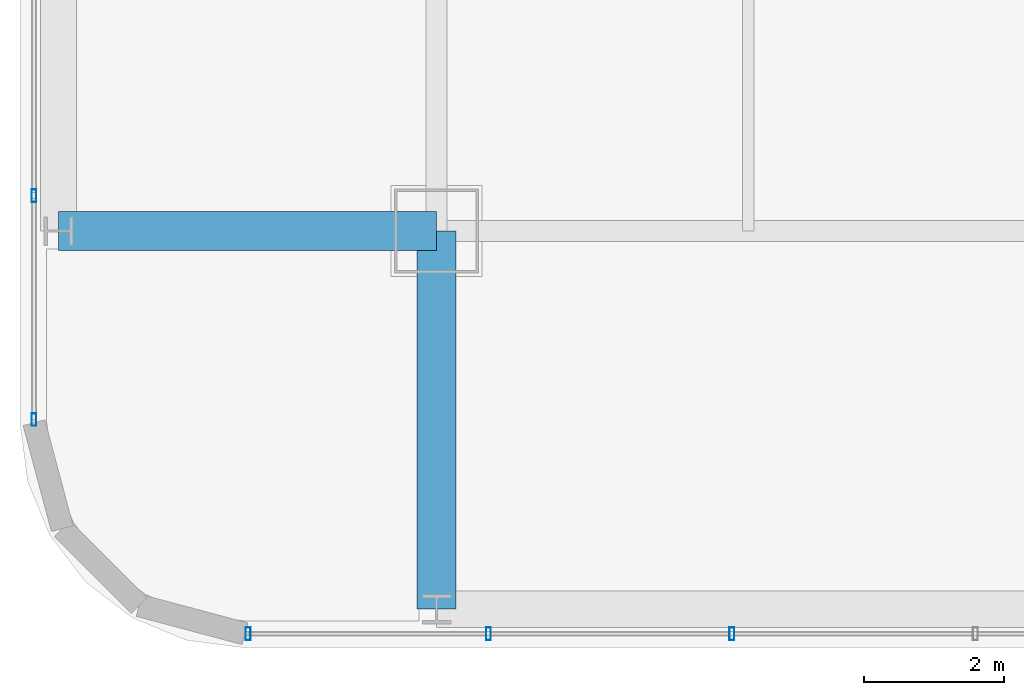
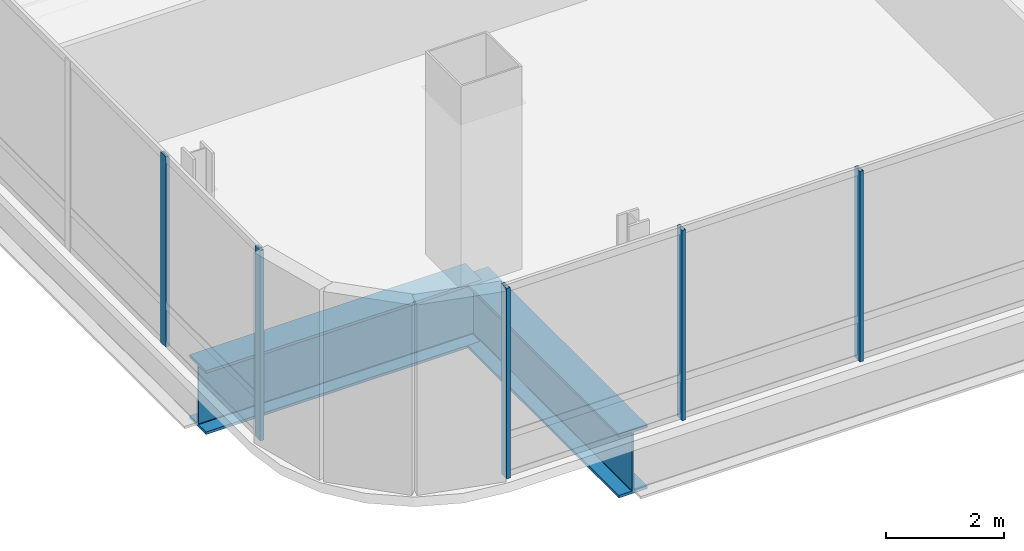
# One storey, part 2 of 46: 5 members, 2 beams, 2 elements without a shape of their own.
"""IFC4 building model written with IfcOpenShell, lengths in metres."""

from ifc_helpers import new_model, si_unit, direction, frame, origin, origin_2d, place, context, subcontext, project, spatial, hollow_rectangle, i_section, extrude, material, material_profile, profile_set, type_object, element, aggregate, save


model = new_model("IFC4")

# Units and contexts
model_context = context("Model", 3, precision=1e-05, world=origin(), true_north=direction((0.0, 1.0)))
body_context = subcontext(model_context, "Body", "Model", "MODEL_VIEW")
ifc_project = project(units=[si_unit("LENGTHUNIT", "METRE"), si_unit("AREAUNIT", "SQUARE_METRE"), si_unit("VOLUMEUNIT", "CUBIC_METRE"), si_unit("PLANEANGLEUNIT", "RADIAN"), si_unit("MASSUNIT", "GRAM", prefix="KILO")], contexts=[model_context])

# Site, building, storey
site_placement = place(None, origin())
site = spatial("IfcSite", under=ifc_project, at=site_placement, CompositionType="ELEMENT")
building_placement = place(site_placement, origin())
building = spatial("IfcBuilding", under=site, at=building_placement, Name="Punatoya Terracotta Tower", CompositionType="ELEMENT")
storey_placement = place(building_placement, frame((0.0, 0.0, 330.0)))
storey = spatial("IfcBuildingStorey", under=building, at=storey_placement, Name="L78", CompositionType="ELEMENT", Elevation=330.0)

# Beams
ifc_material_1 = material(Name="Steel S460", Category="steel")
ifc_material_profile_1 = material_profile(ifc_material_1, i_section(OverallWidth=0.56005859375, OverallDepth=1.320068359375, WebThickness=0.035888671875, FlangeThickness=0.054931640625, FilletRadius=0.01806640625, at=origin_2d()))
ifc_profile_set_1 = profile_set([ifc_material_profile_1], Name="Steel S460")
beam_type = type_object("IfcBeamType", Name="BM-TG-BLK", PredefinedType="BEAM", material=ifc_profile_set_1)
for number, where, z_axis, x_axis, name in (
    (1, (-24.5, -17.5, -0.860107421875), (1.0, 0.0, 0.0), (0.0, 1.0, 0.0), "BM-L78-CANT-W1"),
    (2, (-19.10009765625, -22.89990234375, -0.860107421875), (0.0, 1.0, 0.0), (-1.0, 0.0, 0.0), "BM-L78-CANT-S1"),
):
    element("IfcBeam", number, at=place(storey_placement, frame(where, z_axis=z_axis, x_axis=x_axis)), inside=storey, type_object=beam_type, Name=name, PredefinedType="BEAM", context=body_context, shape_type="SweptSolid", body=[
        extrude(i_section(OverallWidth=0.56005859375, OverallDepth=1.320068359375, WebThickness=0.035888671875, FlangeThickness=0.054931640625, FilletRadius=0.01806640625, at=origin_2d()), origin(), (0.0, 0.0, 1.0), 5.39990234375),
    ])

# Curtain wall, members
ifc_material_2 = material(Name="Aluminium 6063-T6 + Double Low-E Glass", Category="aluminium")
curtain_wall_type = type_object("IfcCurtainWallType", Name="CW-OBS", PredefinedType="NOTDEFINED", material=ifc_material_2)
curtain_wall_1_placement = place(storey_placement, origin())
curtain_wall_1 = element("IfcCurtainWall", 3, at=curtain_wall_1_placement, inside=storey, type_object=curtain_wall_type, Name="L78 Curtain Wall CW-L78-S01-1", PredefinedType="NOTDEFINED")
ifc_material_3 = material(Name="Aluminium 6063-T6", Category="aluminium")
ifc_material_profile_2 = material_profile(ifc_material_3, hollow_rectangle(XDim=0.070068359375, YDim=0.179931640625, WallThickness=0.00390625, at=origin_2d()))
ifc_profile_set_2 = profile_set([ifc_material_profile_2], Name="Aluminium 6063-T6")
member_type = type_object("IfcMemberType", Name="CW-MUL-M3", PredefinedType="MULLION", material=ifc_profile_set_2)
member_1_placement = place(storey_placement, frame((-21.7919921875, -23.25, 0.0), z_axis=(0.0, 0.0, 1.0), x_axis=(1.0, 0.0, 0.0)))
member_1 = element("IfcMember", 4, at=member_1_placement, type_object=member_type, Name="CW-L78-S01-1 Mullion 00", PredefinedType="MULLION", context=body_context, shape_type="SweptSolid", body=[
    extrude(hollow_rectangle(XDim=0.070068359375, YDim=0.179931640625, WallThickness=0.00390625, at=origin_2d()), origin(), (0.0, 0.0, 1.0), 3.93994140625),
])
member_2_placement = place(storey_placement, frame((-18.359619140625, -23.25, 0.0), z_axis=(0.0, 0.0, 1.0), x_axis=(1.0, 0.0, 0.0)))
member_2 = element("IfcMember", 5, at=member_2_placement, type_object=member_type, Name="CW-L78-S01-1 Mullion 01", PredefinedType="MULLION", context=body_context, shape_type="SweptSolid", body=[
    extrude(hollow_rectangle(XDim=0.070068359375, YDim=0.179931640625, WallThickness=0.00390625, at=origin_2d()), origin(), (0.0, 0.0, 1.0), 3.93994140625),
])
member_3_placement = place(storey_placement, frame((-14.882080078125, -23.25, 0.0), z_axis=(0.0, 0.0, 1.0), x_axis=(1.0, 0.0, 0.0)))
member_3 = element("IfcMember", 6, at=member_3_placement, type_object=member_type, Name="CW-L78-S01-1 Mullion 02", PredefinedType="MULLION", context=body_context, shape_type="SweptSolid", body=[
    extrude(hollow_rectangle(XDim=0.070068359375, YDim=0.179931640625, WallThickness=0.00390625, at=origin_2d()), origin(), (0.0, 0.0, 1.0), 3.93994140625),
])
aggregate(curtain_wall_1, [member_1, member_2, member_3])

curtain_wall_2_placement = place(storey_placement, origin())
curtain_wall_2 = element("IfcCurtainWall", 7, at=curtain_wall_2_placement, inside=storey, type_object=curtain_wall_type, Name="L78 Curtain Wall CW-L78-W13-1", PredefinedType="NOTDEFINED")
member_4_placement = place(storey_placement, frame((-24.85009765625, -16.993896484375, 0.0), z_axis=(0.0, 0.0, 1.0), x_axis=(1.0, 0.0, 0.0)))
member_4 = element("IfcMember", 8, at=member_4_placement, type_object=member_type, Name="CW-L78-W13-1 Mullion 10", PredefinedType="MULLION", context=body_context, shape_type="SweptSolid", body=[
    extrude(hollow_rectangle(XDim=0.070068359375, YDim=0.179931640625, WallThickness=0.00390625, at=origin_2d()), origin(), (0.0, 0.0, 1.0), 3.93994140625),
])
member_5_placement = place(storey_placement, frame((-24.85009765625, -20.19189453125, 0.0), z_axis=(0.0, 0.0, 1.0), x_axis=(1.0, 0.0, 0.0)))
member_5 = element("IfcMember", 9, at=member_5_placement, type_object=member_type, Name="CW-L78-W13-1 Mullion 11", PredefinedType="MULLION", context=body_context, shape_type="SweptSolid", body=[
    extrude(hollow_rectangle(XDim=0.070068359375, YDim=0.179931640625, WallThickness=0.00390625, at=origin_2d()), origin(), (0.0, 0.0, 1.0), 3.93994140625),
])
aggregate(curtain_wall_2, [member_4, member_5])

save(model, "model.ifc")
